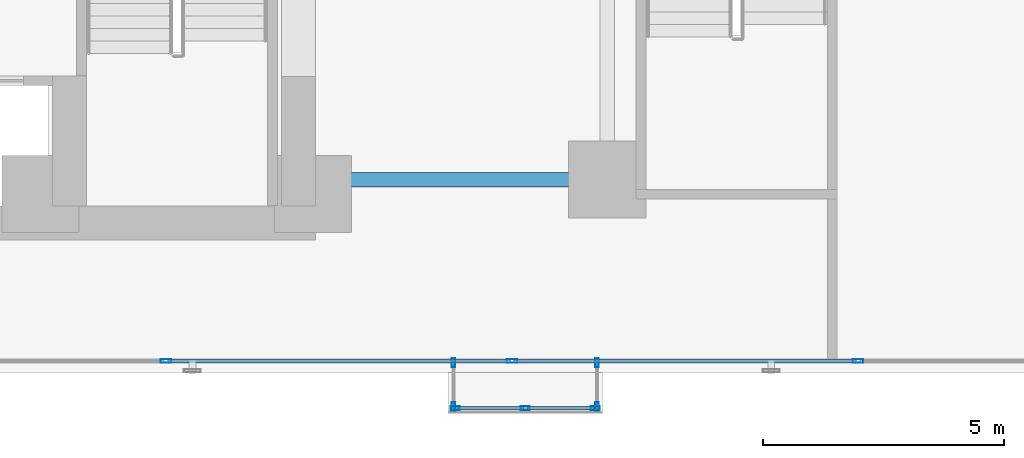
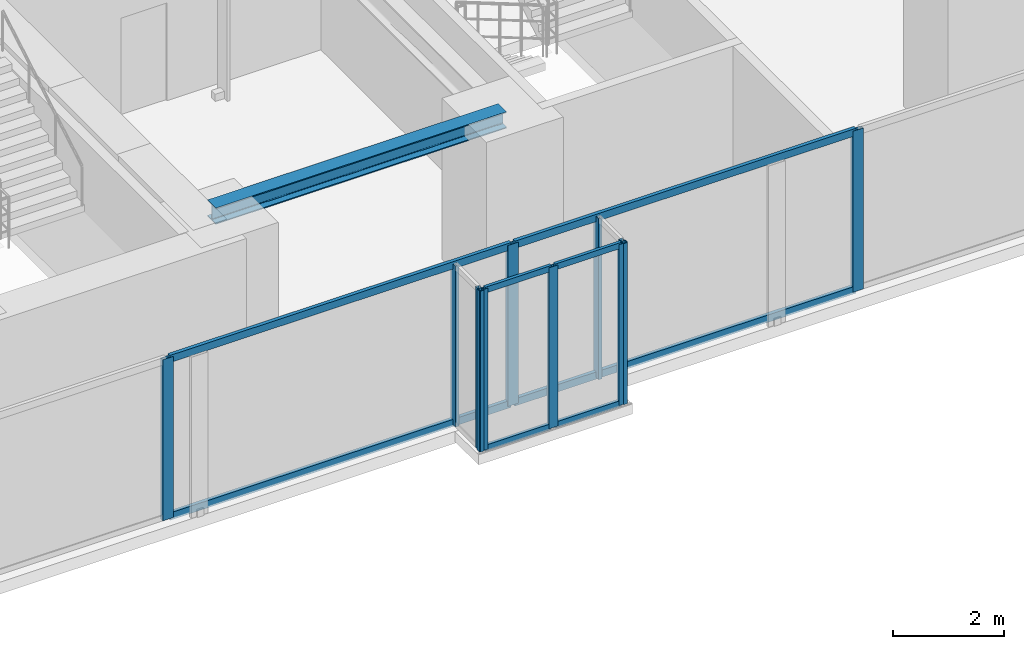
# One storey, part 4 of 26: 18 members, 1 beam, 4 elements without a shape of their own.
"""IFC4 building model written with IfcOpenShell, lengths in metres."""

from ifc_helpers import new_model, si_unit, direction, frame, origin, origin_with_axes, origin_2d, place, context, subcontext, project, spatial, hollow_rectangle, i_section, extrude, source, transform, mapped, material, layer, layer_set, material_profile, profile_set, type_object, element, aggregate, save


model = new_model("IFC4")

# Units and contexts
model_context = context("Model", 3, precision=1e-05, world=origin(), true_north=direction((0.0, 1.0)))
body_context = subcontext(model_context, "Body", "Model", "MODEL_VIEW")
ifc_project = project(units=[si_unit("LENGTHUNIT", "METRE"), si_unit("AREAUNIT", "SQUARE_METRE"), si_unit("VOLUMEUNIT", "CUBIC_METRE"), si_unit("PLANEANGLEUNIT", "RADIAN"), si_unit("MASSUNIT", "GRAM", prefix="KILO")], contexts=[model_context])

# Site, building, storey
site_placement = place(None, origin())
site = spatial("IfcSite", under=ifc_project, at=site_placement, CompositionType="ELEMENT")
building_placement = place(site_placement, origin())
building = spatial("IfcBuilding", under=site, at=building_placement, Name="Kolvaren Waterfront Exchange", CompositionType="ELEMENT")
storey_placement = place(building_placement, frame((0.0, 0.0, 44.800048828125)))
storey = spatial("IfcBuildingStorey", under=building, at=storey_placement, Name="L11", CompositionType="ELEMENT", Elevation=44.800048828125)

# Beam
ifc_material_1 = material(Name="Steel S355", Category="steel")
ifc_material_profile_1 = material_profile(ifc_material_1, i_section(OverallWidth=0.300048828125, OverallDepth=0.360107421875, WebThickness=0.012451171875, FlangeThickness=0.0224609375, FilletRadius=0.027099609375, at=origin_2d()), Name="HEB360")
ifc_profile_set_1 = profile_set([ifc_material_profile_1], Name="Steel S355")
beam_type = type_object("IfcBeamType", Name="STR-BM-HEB360", PredefinedType="SPANDREL", material=ifc_profile_set_1)
beam_placement = place(storey_placement, frame((21.14990234375, 5.199951171875, 3.35986328125), z_axis=(1.0, 0.0, 0.0), x_axis=(0.0, 1.0, 0.0)))
element("IfcBeam", 1, at=beam_placement, inside=storey, type_object=beam_type, Name="L11 east-arm spandrel S1", PredefinedType="SPANDREL", context=body_context, shape_type="SweptSolid", body=[
    extrude(i_section(OverallWidth=0.300048828125, OverallDepth=0.360107421875, WebThickness=0.012451171875, FlangeThickness=0.0224609375, FilletRadius=0.027099609375, at=origin_2d()), origin(), (0.0, 0.0, 1.0), 6.050048828125),
])

# Curtain wall, members
ifc_material_2 = material(Name="Anodised bronze aluminium 6063-T6", Category="aluminium")
ifc_layer_1 = layer(ifc_material_2, 0.219970703125, Name="Anodised bronze aluminium 6063-T6")
ifc_layer_set_1 = layer_set([ifc_layer_1], Name="Anodised bronze aluminium 6063-T6")
curtain_wall_type_1 = type_object("IfcCurtainWallType", Name="ARC-CW-SYS1", PredefinedType="USERDEFINED", material=ifc_layer_set_1)
curtain_wall_1_placement = place(storey_placement, origin())
curtain_wall_1 = element("IfcCurtainWall", 2, at=curtain_wall_1_placement, inside=storey, type_object=curtain_wall_type_1, Name="L11 stick curtain wall CW1 (CW-L11-S)", ObjectType="STICK CURTAIN WALL", PredefinedType="USERDEFINED")
ifc_material_3 = material(Name="Anodised aluminium 6063-T6", Category="aluminium")
ifc_material_profile_2 = material_profile(ifc_material_3, hollow_rectangle(XDim=0.074951171875, YDim=0.159912109375, WallThickness=0.00439453125, at=origin_2d()), Name="ALU-TRN-160x75x4.5")
ifc_profile_set_2 = profile_set([ifc_material_profile_2], Name="Anodised aluminium 6063-T6")
member_type_1 = type_object("IfcMemberType", Name="ARC-CWT-160", PredefinedType="USERDEFINED", material=ifc_profile_set_2)
shared_shape_1 = source(origin_with_axes(), body_context, "Body", "SweptSolid", [
    extrude(hollow_rectangle(XDim=0.074951171875, YDim=0.159912109375, WallThickness=0.00439453125, at=origin_2d()), origin(), (0.0, 0.0, 1.0), 7.094970703125),
])
member_1_placement = place(storey_placement, frame((18.090087890625, 1.43994140625, 0.037353515625), z_axis=(1.0, 0.0, 0.0), x_axis=(0.0, 1.0, 0.0)))
member_1 = element("IfcMember", 3, at=member_1_placement, type_object=member_type_1, Name="CW1 transom 3.1", ObjectType="TRANSOM", PredefinedType="USERDEFINED", context=body_context, shape_type="MappedRepresentation", body=[
    mapped(shared_shape_1, transform((0.0, 0.0, 0.0), x_axis=(1.0, 0.0, 0.0), y_axis=(0.0, 1.0, 0.0), z_axis=(0.0, 0.0, 1.0), scale=1.0)),
])
member_2_placement = place(storey_placement, frame((18.090087890625, 1.43994140625, 3.50244140625), z_axis=(1.0, 0.0, 0.0), x_axis=(0.0, 1.0, 0.0)))
member_2 = element("IfcMember", 4, at=member_2_placement, type_object=member_type_1, Name="CW1 transom 3.2", ObjectType="TRANSOM", PredefinedType="USERDEFINED", context=body_context, shape_type="MappedRepresentation", body=[
    mapped(shared_shape_1, transform((0.0, 0.0, 0.0), x_axis=(1.0, 0.0, 0.0), y_axis=(0.0, 1.0, 0.0), z_axis=(0.0, 0.0, 1.0), scale=1.0)),
])
shared_shape_2 = source(origin_with_axes(), body_context, "Body", "SweptSolid", [
    extrude(hollow_rectangle(XDim=0.074951171875, YDim=0.159912109375, WallThickness=0.00439453125, at=origin_2d()), origin(), (0.0, 0.0, 1.0), 7.09521484375),
])
member_3_placement = place(storey_placement, frame((25.264892578125, 1.43994140625, 0.037353515625), z_axis=(1.0, 0.0, 0.0), x_axis=(0.0, 1.0, 0.0)))
member_3 = element("IfcMember", 5, at=member_3_placement, type_object=member_type_1, Name="CW1 transom 4.1", ObjectType="TRANSOM", PredefinedType="USERDEFINED", context=body_context, shape_type="MappedRepresentation", body=[
    mapped(shared_shape_2, transform((0.0, 0.0, 0.0), x_axis=(1.0, 0.0, 0.0), y_axis=(0.0, 1.0, 0.0), z_axis=(0.0, 0.0, 1.0), scale=1.0)),
])
member_4_placement = place(storey_placement, frame((25.264892578125, 1.43994140625, 3.50244140625), z_axis=(1.0, 0.0, 0.0), x_axis=(0.0, 1.0, 0.0)))
member_4 = element("IfcMember", 6, at=member_4_placement, type_object=member_type_1, Name="CW1 transom 4.2", ObjectType="TRANSOM", PredefinedType="USERDEFINED", context=body_context, shape_type="MappedRepresentation", body=[
    mapped(shared_shape_2, transform((0.0, 0.0, 0.0), x_axis=(1.0, 0.0, 0.0), y_axis=(0.0, 1.0, 0.0), z_axis=(0.0, 0.0, 1.0), scale=1.0)),
])

ifc_layer_2 = layer(ifc_material_2, 0.219970703125, Name="Anodised bronze aluminium 6063-T6")
ifc_layer_set_2 = layer_set([ifc_layer_2], Name="Anodised bronze aluminium 6063-T6")
curtain_wall_type_2 = type_object("IfcCurtainWallType", Name="ARC-CW-SYS3", PredefinedType="USERDEFINED", material=ifc_layer_set_2)
curtain_wall_2_placement = place(storey_placement, origin())
curtain_wall_2 = element("IfcCurtainWall", 7, at=curtain_wall_2_placement, inside=storey, type_object=curtain_wall_type_2, Name="L11 stick curtain wall CW3 (CW-L11-BOX-W)", ObjectType="STICK CURTAIN WALL", PredefinedType="USERDEFINED")
ifc_material_profile_3 = material_profile(ifc_material_2, hollow_rectangle(XDim=0.074951171875, YDim=0.179931640625, WallThickness=0.00439453125, at=origin_2d()), Name="ALU-MUL-180x75x4.5")
ifc_profile_set_3 = profile_set([ifc_material_profile_3], Name="Anodised bronze aluminium 6063-T6")
member_type_2 = type_object("IfcMemberType", Name="ARC-CWM-180", PredefinedType="MULLION", material=ifc_profile_set_3)
shared_shape_3 = source(origin_with_axes(), body_context, "Body", "SweptSolid", [
    extrude(hollow_rectangle(XDim=0.074951171875, YDim=0.179931640625, WallThickness=0.00439453125, at=origin_2d()), origin(), (0.0, 0.0, 1.0), 3.5400390625),
])
member_5_placement = place(storey_placement, frame((24.010009765625, 1.402587890625, 0.0), z_axis=(0.0, 0.0, 1.0), x_axis=(1.0, 0.0, 0.0)))
member_5 = element("IfcMember", 8, at=member_5_placement, type_object=member_type_2, Name="CW3 mullion 1", PredefinedType="MULLION", context=body_context, shape_type="MappedRepresentation", body=[
    mapped(shared_shape_3, transform((0.0, 0.0, 0.0), x_axis=(1.0, 0.0, 0.0), y_axis=(0.0, 1.0, 0.0), z_axis=(0.0, 0.0, 1.0), scale=1.0)),
])
member_6_placement = place(storey_placement, frame((24.010009765625, 0.49755859375, 0.0), z_axis=(0.0, 0.0, 1.0), x_axis=(1.0, 0.0, 0.0)))
member_6 = element("IfcMember", 9, at=member_6_placement, type_object=member_type_2, Name="CW3 mullion 2", PredefinedType="MULLION", context=body_context, shape_type="MappedRepresentation", body=[
    mapped(shared_shape_3, transform((0.0, 0.0, 0.0), x_axis=(1.0, 0.0, 0.0), y_axis=(0.0, 1.0, 0.0), z_axis=(0.0, 0.0, 1.0), scale=1.0)),
])
aggregate(curtain_wall_2, [member_5, member_6])

curtain_wall_3_placement = place(storey_placement, origin())
curtain_wall_3 = element("IfcCurtainWall", 10, at=curtain_wall_3_placement, inside=storey, type_object=curtain_wall_type_2, Name="L11 stick curtain wall CW3 (CW-L11-BOX)", ObjectType="STICK CURTAIN WALL", PredefinedType="USERDEFINED")
member_7_placement = place(storey_placement, frame((24.047607421875, 0.4599609375, 0.0), z_axis=(0.0, 0.0, 1.0), x_axis=(0.0, 1.0, 0.0)))
member_7 = element("IfcMember", 11, at=member_7_placement, type_object=member_type_2, Name="CW3 mullion 1", PredefinedType="MULLION", context=body_context, shape_type="MappedRepresentation", body=[
    mapped(shared_shape_3, transform((0.0, 0.0, 0.0), x_axis=(1.0, 0.0, 0.0), y_axis=(0.0, 1.0, 0.0), z_axis=(0.0, 0.0, 1.0), scale=1.0)),
])
member_8_placement = place(storey_placement, frame((25.5, 0.4599609375, 0.0), z_axis=(0.0, 0.0, 1.0), x_axis=(0.0, 1.0, 0.0)))
member_8 = element("IfcMember", 12, at=member_8_placement, type_object=member_type_2, Name="CW3 mullion 2", PredefinedType="MULLION", context=body_context, shape_type="MappedRepresentation", body=[
    mapped(shared_shape_3, transform((0.0, 0.0, 0.0), x_axis=(1.0, 0.0, 0.0), y_axis=(0.0, 1.0, 0.0), z_axis=(0.0, 0.0, 1.0), scale=1.0)),
])
member_9_placement = place(storey_placement, frame((26.952392578125, 0.4599609375, 0.0), z_axis=(0.0, 0.0, 1.0), x_axis=(0.0, 1.0, 0.0)))
member_9 = element("IfcMember", 13, at=member_9_placement, type_object=member_type_2, Name="CW3 mullion 3", PredefinedType="MULLION", context=body_context, shape_type="MappedRepresentation", body=[
    mapped(shared_shape_3, transform((0.0, 0.0, 0.0), x_axis=(1.0, 0.0, 0.0), y_axis=(0.0, 1.0, 0.0), z_axis=(0.0, 0.0, 1.0), scale=1.0)),
])

curtain_wall_4_placement = place(storey_placement, origin())
curtain_wall_4 = element("IfcCurtainWall", 14, at=curtain_wall_4_placement, inside=storey, type_object=curtain_wall_type_2, Name="L11 stick curtain wall CW3 (CW-L11-BOX-E)", ObjectType="STICK CURTAIN WALL", PredefinedType="USERDEFINED")
member_10_placement = place(storey_placement, frame((26.989990234375, 0.49755859375, 0.0), z_axis=(0.0, 0.0, 1.0), x_axis=(-1.0, 0.0, 0.0)))
member_10 = element("IfcMember", 15, at=member_10_placement, type_object=member_type_2, Name="CW3 mullion 1", PredefinedType="MULLION", context=body_context, shape_type="MappedRepresentation", body=[
    mapped(shared_shape_3, transform((0.0, 0.0, 0.0), x_axis=(1.0, 0.0, 0.0), y_axis=(0.0, 1.0, 0.0), z_axis=(0.0, 0.0, 1.0), scale=1.0)),
])
member_11_placement = place(storey_placement, frame((26.989990234375, 1.402587890625, 0.0), z_axis=(0.0, 0.0, 1.0), x_axis=(-1.0, 0.0, 0.0)))
member_11 = element("IfcMember", 16, at=member_11_placement, type_object=member_type_2, Name="CW3 mullion 2", PredefinedType="MULLION", context=body_context, shape_type="MappedRepresentation", body=[
    mapped(shared_shape_3, transform((0.0, 0.0, 0.0), x_axis=(1.0, 0.0, 0.0), y_axis=(0.0, 1.0, 0.0), z_axis=(0.0, 0.0, 1.0), scale=1.0)),
])
aggregate(curtain_wall_4, [member_10, member_11])

# Member
ifc_material_profile_4 = material_profile(ifc_material_2, hollow_rectangle(XDim=0.06494140625, YDim=0.1298828125, WallThickness=0.00390625, at=origin_2d()), Name="ALU-TRN-130x65x4")
ifc_profile_set_4 = profile_set([ifc_material_profile_4], Name="Anodised bronze aluminium 6063-T6")
member_type_3 = type_object("IfcMemberType", Name="ARC-CWT-130", PredefinedType="USERDEFINED", material=ifc_profile_set_4)
shared_shape_4 = source(origin_with_axes(), body_context, "Body", "SweptSolid", [
    extrude(hollow_rectangle(XDim=0.06494140625, YDim=0.1298828125, WallThickness=0.00390625, at=origin_2d()), origin(), (0.0, 0.0, 1.0), 1.37744140625),
])
member_12_placement = place(storey_placement, frame((24.0849609375, 0.4599609375, 0.032470703125), z_axis=(1.0, 0.0, 0.0), x_axis=(0.0, 1.0, 0.0)))
member_12 = element("IfcMember", 17, at=member_12_placement, type_object=member_type_3, Name="CW3 transom 1.1", ObjectType="TRANSOM", PredefinedType="USERDEFINED", context=body_context, shape_type="MappedRepresentation", body=[
    mapped(shared_shape_4, transform((0.0, 0.0, 0.0), x_axis=(1.0, 0.0, 0.0), y_axis=(0.0, 1.0, 0.0), z_axis=(0.0, 0.0, 1.0), scale=1.0)),
])

member_13_placement = place(storey_placement, frame((24.0849609375, 0.4599609375, 3.507568359375), z_axis=(1.0, 0.0, 0.0), x_axis=(0.0, 1.0, 0.0)))
member_13 = element("IfcMember", 18, at=member_13_placement, type_object=member_type_3, Name="CW3 transom 1.2", ObjectType="TRANSOM", PredefinedType="USERDEFINED", context=body_context, shape_type="MappedRepresentation", body=[
    mapped(shared_shape_4, transform((0.0, 0.0, 0.0), x_axis=(1.0, 0.0, 0.0), y_axis=(0.0, 1.0, 0.0), z_axis=(0.0, 0.0, 1.0), scale=1.0)),
])

member_14_placement = place(storey_placement, frame((25.53759765625, 0.4599609375, 0.032470703125), z_axis=(1.0, 0.0, 0.0), x_axis=(0.0, 1.0, 0.0)))
member_14 = element("IfcMember", 19, at=member_14_placement, type_object=member_type_3, Name="CW3 transom 2.1", ObjectType="TRANSOM", PredefinedType="USERDEFINED", context=body_context, shape_type="MappedRepresentation", body=[
    mapped(shared_shape_4, transform((0.0, 0.0, 0.0), x_axis=(1.0, 0.0, 0.0), y_axis=(0.0, 1.0, 0.0), z_axis=(0.0, 0.0, 1.0), scale=1.0)),
])

member_15_placement = place(storey_placement, frame((25.53759765625, 0.4599609375, 3.507568359375), z_axis=(1.0, 0.0, 0.0), x_axis=(0.0, 1.0, 0.0)))
member_15 = element("IfcMember", 20, at=member_15_placement, type_object=member_type_3, Name="CW3 transom 2.2", ObjectType="TRANSOM", PredefinedType="USERDEFINED", context=body_context, shape_type="MappedRepresentation", body=[
    mapped(shared_shape_4, transform((0.0, 0.0, 0.0), x_axis=(1.0, 0.0, 0.0), y_axis=(0.0, 1.0, 0.0), z_axis=(0.0, 0.0, 1.0), scale=1.0)),
])

aggregate(curtain_wall_3, [member_7, member_8, member_9, member_12, member_13, member_14, member_15])

ifc_material_profile_5 = material_profile(ifc_material_3, hollow_rectangle(XDim=0.080078125, YDim=0.219970703125, WallThickness=0.0048828125, at=origin_2d()), Name="ALU-MUL-220x80x5")
ifc_profile_set_5 = profile_set([ifc_material_profile_5], Name="Anodised aluminium 6063-T6")
member_type_4 = type_object("IfcMemberType", Name="ARC-CWM-220", PredefinedType="MULLION", material=ifc_profile_set_5)
shared_shape_5 = source(origin_with_axes(), body_context, "Body", "SweptSolid", [
    extrude(hollow_rectangle(XDim=0.080078125, YDim=0.219970703125, WallThickness=0.0048828125, at=origin_2d()), origin(), (0.0, 0.0, 1.0), 3.5400390625),
])
member_16_placement = place(storey_placement, frame((18.050048828125, 1.43994140625, 0.0), z_axis=(0.0, 0.0, 1.0), x_axis=(0.0, 1.0, 0.0)))
member_16 = element("IfcMember", 21, at=member_16_placement, type_object=member_type_4, Name="CW1 mullion 3", PredefinedType="MULLION", context=body_context, shape_type="MappedRepresentation", body=[
    mapped(shared_shape_5, transform((0.0, 0.0, 0.0), x_axis=(1.0, 0.0, 0.0), y_axis=(0.0, 1.0, 0.0), z_axis=(0.0, 0.0, 1.0), scale=1.0)),
])

member_17_placement = place(storey_placement, frame((25.22509765625, 1.43994140625, 0.0), z_axis=(0.0, 0.0, 1.0), x_axis=(0.0, 1.0, 0.0)))
member_17 = element("IfcMember", 22, at=member_17_placement, type_object=member_type_4, Name="CW1 mullion 4", PredefinedType="MULLION", context=body_context, shape_type="MappedRepresentation", body=[
    mapped(shared_shape_5, transform((0.0, 0.0, 0.0), x_axis=(1.0, 0.0, 0.0), y_axis=(0.0, 1.0, 0.0), z_axis=(0.0, 0.0, 1.0), scale=1.0)),
])

member_18_placement = place(storey_placement, frame((32.39990234375, 1.43994140625, 0.0), z_axis=(0.0, 0.0, 1.0), x_axis=(0.0, 1.0, 0.0)))
member_18 = element("IfcMember", 23, at=member_18_placement, type_object=member_type_4, Name="CW1 mullion 5", PredefinedType="MULLION", context=body_context, shape_type="MappedRepresentation", body=[
    mapped(shared_shape_5, transform((0.0, 0.0, 0.0), x_axis=(1.0, 0.0, 0.0), y_axis=(0.0, 1.0, 0.0), z_axis=(0.0, 0.0, 1.0), scale=1.0)),
])

aggregate(curtain_wall_1, [member_16, member_17, member_18, member_1, member_2, member_3, member_4])

save(model, "model.ifc")
